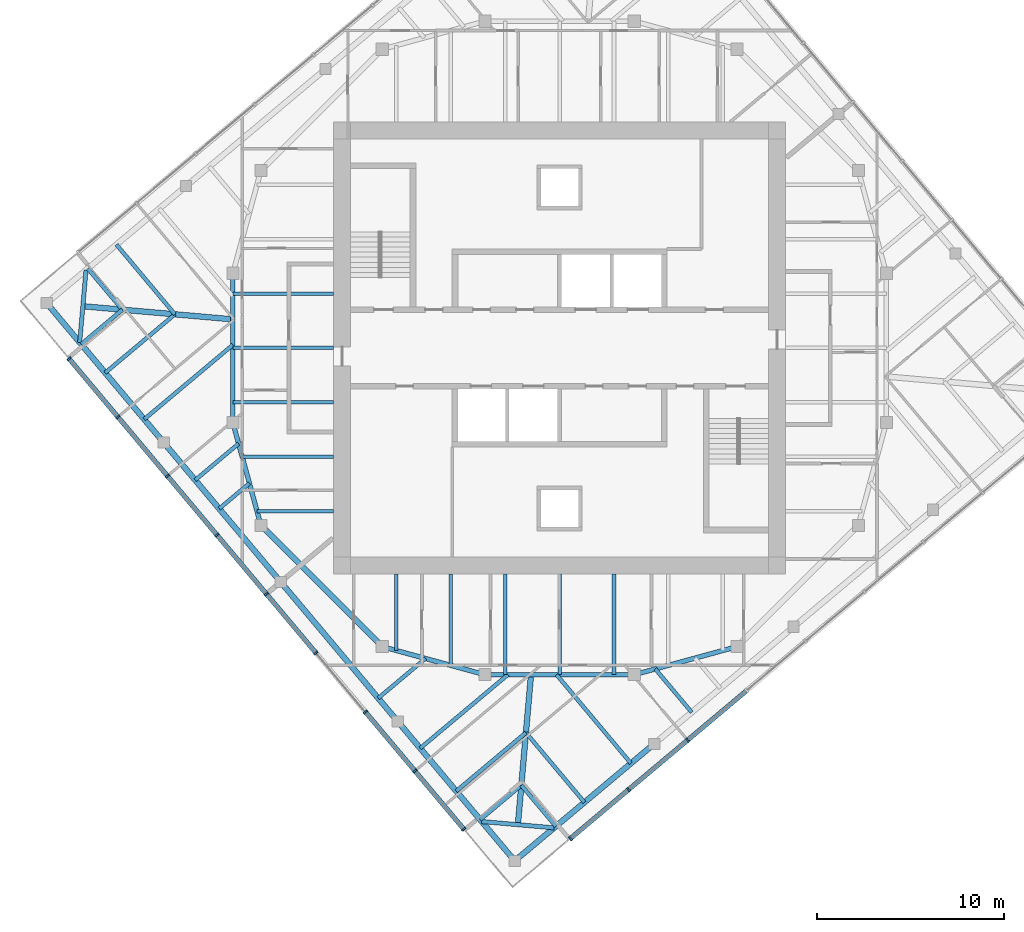
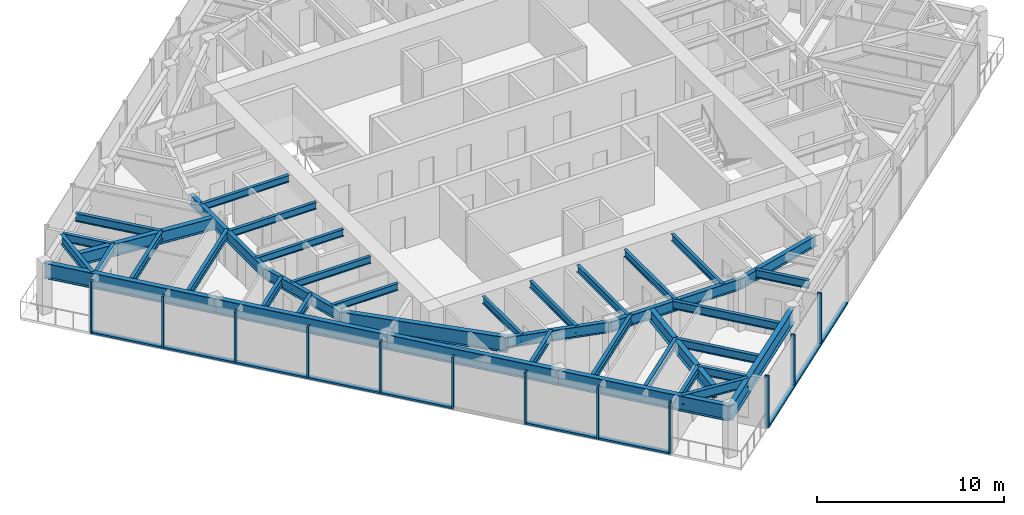
# One storey, part 2 of 11: 40 beams, 22 members, 2 elements without a shape of their own.
"""IFC4 building model written with IfcOpenShell, lengths in metres."""

from ifc_helpers import new_model, si_unit, direction, frame, origin, origin_2d, place, context, subcontext, project, spatial, rectangle, i_section, extrude, material, material_profile, profile_set, type_object, element, aggregate, save


model = new_model("IFC4")

# Units and contexts
model_context = context("Model", 3, precision=1e-05, world=origin(), true_north=direction((0.0, 1.0)))
body_context = subcontext(model_context, "Body", "Model", "MODEL_VIEW")
ifc_project = project(units=[si_unit("LENGTHUNIT", "METRE"), si_unit("AREAUNIT", "SQUARE_METRE"), si_unit("VOLUMEUNIT", "CUBIC_METRE"), si_unit("PLANEANGLEUNIT", "RADIAN"), si_unit("MASSUNIT", "GRAM", prefix="KILO")], contexts=[model_context])

# Site, building, storey
site_placement = place(None, origin())
site = spatial("IfcSite", under=ifc_project, at=site_placement, CompositionType="ELEMENT")
building_placement = place(site_placement, origin())
building = spatial("IfcBuilding", under=site, at=building_placement, Name="Torsade Residences", CompositionType="ELEMENT")
storey_placement = place(building_placement, frame((0.0, 0.0, 272.60009765625)))
storey = spatial("IfcBuildingStorey", under=building, at=storey_placement, Name="L75", CompositionType="ELEMENT", Elevation=272.60009765625)

# Beams
ifc_material_1 = material(Name="Steel grade 300", Category="steel")
ifc_material_profile_1 = material_profile(ifc_material_1, i_section(OverallWidth=0.300048828125, OverallDepth=0.800048828125, WebThickness=0.010009765625, FlangeThickness=0.02001953125, at=origin_2d()), Name="800WB146")
ifc_profile_set_1 = profile_set([ifc_material_profile_1], Name="Steel grade 300")
beam_type_1 = type_object("IfcBeamType", Name="CORNER GIRDER 800WB146", PredefinedType="BEAM", material=ifc_profile_set_1)
for number, where, z_axis, x_axis, name in (
    (1, (37.765869140625, 4.46484375, 2.849853515625), (0.087172957961, 0.996193191806, 0.0), (-0.996193191806, 0.087172957961, 0.0), "Corner girder 01 L76"),
    (2, (14.46484375, 32.234130859375, 2.849853515625), (0.996193191806, -0.087172957961, 0.0), (0.087172957961, 0.996193191806, 0.0), "Corner girder 13 L76"),
):
    element("IfcBeam", number, at=place(storey_placement, frame(where, z_axis=z_axis, x_axis=x_axis)), inside=storey, type_object=beam_type_1, Name=name, PredefinedType="BEAM", context=body_context, shape_type="SweptSolid", body=[
        extrude(i_section(OverallWidth=0.300048828125, OverallDepth=0.800048828125, WebThickness=0.010009765625, FlangeThickness=0.02001953125, at=origin_2d()), origin(), (0.0, 0.0, 1.0), 8.06591796875),
    ])
ifc_material_2 = material(Name="Steel grade 300", Category="steel")
ifc_material_profile_2 = material_profile(ifc_material_2, i_section(OverallWidth=0.22802734375, OverallDepth=0.60205078125, WebThickness=0.010498046875, FlangeThickness=0.014892578125, FilletRadius=0.013916015625, at=origin_2d()), Name="610UB101")
ifc_profile_set_2 = profile_set([ifc_material_profile_2], Name="Steel grade 300")
beam_type_2 = type_object("IfcBeamType", Name="CORNER TRIMMER 610UB101", PredefinedType="BEAM", material=ifc_profile_set_2)
for number, where, z_axis, x_axis, name in (
    (3, (39.703125, 4.29541015625, 2.948974609375), (-0.996196646947, 0.087133464362, 0.0), (-0.087133464362, -0.996196646947, 0.0), "Corner trimmer 01 L76"),
    (4, (14.29541015625, 30.296875, 2.948974609375), (0.087133464362, 0.996196646947, 0.0), (-0.996196646947, 0.087133464362, 0.0), "Corner trimmer 13 L76"),
):
    element("IfcBeam", number, at=place(storey_placement, frame(where, z_axis=z_axis, x_axis=x_axis)), inside=storey, type_object=beam_type_2, Name=name, PredefinedType="BEAM", context=body_context, shape_type="SweptSolid", body=[
        extrude(i_section(OverallWidth=0.22802734375, OverallDepth=0.60205078125, WebThickness=0.010498046875, FlangeThickness=0.014892578125, FilletRadius=0.013916015625, at=origin_2d()), origin(), (0.0, 0.0, 1.0), 3.88916015625),
    ])
ifc_material_3 = material(Name="Steel grade 300", Category="steel")
ifc_material_profile_3 = material_profile(ifc_material_3, i_section(OverallWidth=0.300048828125, OverallDepth=1.0, WebThickness=0.01611328125, FlangeThickness=0.028076171875, at=origin_2d()), Name="1000WB215")
ifc_profile_set_3 = profile_set([ifc_material_profile_3], Name="Steel grade 300")
beam_type_3 = type_object("IfcBeamType", Name="EDGE BEAM 1000WB215", PredefinedType="SPANDREL", material=ifc_profile_set_3)
for number, where, z_axis, x_axis, name in (
    (5, (37.596435546875, 2.52783203125, 2.75), (0.766051532934, 0.642779160279, 0.0), (-0.642779160279, 0.766051532934, 0.0), "Edge beam 01 L76"),
    (6, (12.52783203125, 32.403564453125, 2.75), (0.642779160279, -0.766051532934, 0.0), (0.766051532934, 0.642779160279, 0.0), "Edge beam 13 L76"),
    (7, (18.794921875, 24.9345703125, 2.75), (0.642779160279, -0.766051532934, 0.0), (0.766051532934, 0.642779160279, 0.0), "Edge beam 14 L76"),
    (8, (25.06201171875, 17.465576171875, 2.75), (0.642806184154, -0.766028856906, 0.0), (0.766028856906, 0.642806184154, 0.0), "Edge beam 15 L76"),
    (9, (31.329345703125, 9.996826171875, 2.75), (0.642779160279, -0.766051532934, 0.0), (0.766051532934, 0.642779160279, 0.0), "Edge beam 16 L76"),
):
    element("IfcBeam", number, at=place(storey_placement, frame(where, z_axis=z_axis, x_axis=x_axis)), inside=storey, type_object=beam_type_3, Name=name, PredefinedType="SPANDREL", context=body_context, shape_type="SweptSolid", body=[
        extrude(i_section(OverallWidth=0.300048828125, OverallDepth=1.0, WebThickness=0.01611328125, FlangeThickness=0.028076171875, at=origin_2d()), origin(), (0.0, 0.0, 1.0), 9.75),
    ])

# Curtain wall, members
ifc_material_4 = material(Name="Aluminium and glass", Category="aluminium")
curtain_wall_type = type_object("IfcCurtainWallType", Name="FRITTED GLASS CURTAIN WALL HIGH ZONE", PredefinedType="NOTDEFINED", material=ifc_material_4)
curtain_wall_1_placement = place(storey_placement, origin())
curtain_wall_1 = element("IfcCurtainWall", 10, at=curtain_wall_1_placement, inside=storey, type_object=curtain_wall_type, Name="Curtain wall L75 face 1", PredefinedType="NOTDEFINED")
ifc_material_5 = material(Name="Aluminium mullion", Category="aluminium")
ifc_material_profile_4 = material_profile(ifc_material_5, rectangle(XDim=0.25, YDim=0.10009765625, at=origin_2d()), Name="HIGH ZONE CURTAIN WALL MULLION 250x100")
ifc_profile_set_4 = profile_set([ifc_material_profile_4], Name="Aluminium mullion")
member_type_1 = type_object("IfcMemberType", Name="HIGH ZONE CURTAIN WALL MULLION 250x100", PredefinedType="MULLION", material=ifc_profile_set_4)
member_1_placement = place(storey_placement, frame((40.57568359375, 3.72216796875, 0.0), z_axis=(0.0, 0.0, 1.0), x_axis=(-0.642787616853, 0.766044437106, 0.0)))
member_1 = element("IfcMember", 11, at=member_1_placement, type_object=member_type_1, Name="Mullion 1", PredefinedType="MULLION", context=body_context, shape_type="SweptSolid", body=[
    extrude(rectangle(XDim=0.25, YDim=0.10009765625, at=origin_2d()), origin(), (0.0, 0.0, 1.0), 3.39990234375),
])
member_2_placement = place(storey_placement, frame((43.697265625, 6.341552734375, 0.0), z_axis=(0.0, 0.0, 1.0), x_axis=(-0.642787616853, 0.766044437106, 0.0)))
member_2 = element("IfcMember", 12, at=member_2_placement, type_object=member_type_1, Name="Mullion 2", PredefinedType="MULLION", context=body_context, shape_type="SweptSolid", body=[
    extrude(rectangle(XDim=0.25, YDim=0.10009765625, at=origin_2d()), origin(), (0.0, 0.0, 1.0), 3.39990234375),
])
member_3_placement = place(storey_placement, frame((46.857177734375, 8.9931640625, 0.0), z_axis=(0.0, 0.0, 1.0), x_axis=(-0.642787616853, 0.766044437106, 0.0)))
member_3 = element("IfcMember", 13, at=member_3_placement, type_object=member_type_1, Name="Mullion 3", PredefinedType="MULLION", context=body_context, shape_type="SweptSolid", body=[
    extrude(rectangle(XDim=0.25, YDim=0.10009765625, at=origin_2d()), origin(), (0.0, 0.0, 1.0), 3.39990234375),
])

curtain_wall_2_placement = place(storey_placement, origin())
curtain_wall_2 = element("IfcCurtainWall", 14, at=curtain_wall_2_placement, inside=storey, type_object=curtain_wall_type, Name="Curtain wall L75 face 10", PredefinedType="NOTDEFINED")
member_4_placement = place(storey_placement, frame((13.72216796875, 29.42431640625, 0.0), z_axis=(0.0, 0.0, 1.0), x_axis=(0.766044437106, 0.642787616853, 0.0)))
member_4 = element("IfcMember", 15, at=member_4_placement, type_object=member_type_1, Name="Mullion 1", PredefinedType="MULLION", context=body_context, shape_type="SweptSolid", body=[
    extrude(rectangle(XDim=0.25, YDim=0.10009765625, at=origin_2d()), origin(), (0.0, 0.0, 1.0), 3.39990234375),
])
member_5_placement = place(storey_placement, frame((16.341552734375, 26.302734375, 0.0), z_axis=(0.0, 0.0, 1.0), x_axis=(0.766044437106, 0.642787616853, 0.0)))
member_5 = element("IfcMember", 16, at=member_5_placement, type_object=member_type_1, Name="Mullion 2", PredefinedType="MULLION", context=body_context, shape_type="SweptSolid", body=[
    extrude(rectangle(XDim=0.25, YDim=0.10009765625, at=origin_2d()), origin(), (0.0, 0.0, 1.0), 3.39990234375),
])
member_6_placement = place(storey_placement, frame((18.9931640625, 23.142822265625, 0.0), z_axis=(0.0, 0.0, 1.0), x_axis=(0.766044437106, 0.642787616853, 0.0)))
member_6 = element("IfcMember", 17, at=member_6_placement, type_object=member_type_1, Name="Mullion 3", PredefinedType="MULLION", context=body_context, shape_type="SweptSolid", body=[
    extrude(rectangle(XDim=0.25, YDim=0.10009765625, at=origin_2d()), origin(), (0.0, 0.0, 1.0), 3.39990234375),
])
member_7_placement = place(storey_placement, frame((21.64453125, 19.982666015625, 0.0), z_axis=(0.0, 0.0, 1.0), x_axis=(0.766044437106, 0.642787616853, 0.0)))
member_7 = element("IfcMember", 18, at=member_7_placement, type_object=member_type_1, Name="Mullion 4", PredefinedType="MULLION", context=body_context, shape_type="SweptSolid", body=[
    extrude(rectangle(XDim=0.25, YDim=0.10009765625, at=origin_2d()), origin(), (0.0, 0.0, 1.0), 3.39990234375),
])
member_8_placement = place(storey_placement, frame((24.296142578125, 16.82275390625, 0.0), z_axis=(0.0, 0.0, 1.0), x_axis=(0.766044437106, 0.642787616853, 0.0)))
member_8 = element("IfcMember", 19, at=member_8_placement, type_object=member_type_1, Name="Mullion 5", PredefinedType="MULLION", context=body_context, shape_type="SweptSolid", body=[
    extrude(rectangle(XDim=0.25, YDim=0.10009765625, at=origin_2d()), origin(), (0.0, 0.0, 1.0), 3.39990234375),
])
member_9_placement = place(storey_placement, frame((26.947509765625, 13.662841796875, 0.0), z_axis=(0.0, 0.0, 1.0), x_axis=(0.766044437106, 0.642787616853, 0.0)))
member_9 = element("IfcMember", 20, at=member_9_placement, type_object=member_type_1, Name="Mullion 6", PredefinedType="MULLION", context=body_context, shape_type="SweptSolid", body=[
    extrude(rectangle(XDim=0.25, YDim=0.10009765625, at=origin_2d()), origin(), (0.0, 0.0, 1.0), 3.39990234375),
])
member_10_placement = place(storey_placement, frame((29.59912109375, 10.5029296875, 0.0), z_axis=(0.0, 0.0, 1.0), x_axis=(0.766044437106, 0.642787616853, 0.0)))
member_10 = element("IfcMember", 21, at=member_10_placement, type_object=member_type_1, Name="Mullion 7", PredefinedType="MULLION", context=body_context, shape_type="SweptSolid", body=[
    extrude(rectangle(XDim=0.25, YDim=0.10009765625, at=origin_2d()), origin(), (0.0, 0.0, 1.0), 3.39990234375),
])
member_11_placement = place(storey_placement, frame((32.25048828125, 7.343017578125, 0.0), z_axis=(0.0, 0.0, 1.0), x_axis=(0.766044437106, 0.642787616853, 0.0)))
member_11 = element("IfcMember", 22, at=member_11_placement, type_object=member_type_1, Name="Mullion 8", PredefinedType="MULLION", context=body_context, shape_type="SweptSolid", body=[
    extrude(rectangle(XDim=0.25, YDim=0.10009765625, at=origin_2d()), origin(), (0.0, 0.0, 1.0), 3.39990234375),
])
member_12_placement = place(storey_placement, frame((34.869873046875, 4.221435546875, 0.0), z_axis=(0.0, 0.0, 1.0), x_axis=(0.766044437106, 0.642787616853, 0.0)))
member_12 = element("IfcMember", 23, at=member_12_placement, type_object=member_type_1, Name="Mullion 9", PredefinedType="MULLION", context=body_context, shape_type="SweptSolid", body=[
    extrude(rectangle(XDim=0.25, YDim=0.10009765625, at=origin_2d()), origin(), (0.0, 0.0, 1.0), 3.39990234375),
])

# Member
ifc_material_6 = material(Name="Aluminium transom", Category="aluminium")
ifc_material_profile_5 = material_profile(ifc_material_6, rectangle(XDim=0.25, YDim=0.1201171875, at=origin_2d()), Name="HIGH ZONE CURTAIN WALL TRANSOM 250x120")
ifc_profile_set_5 = profile_set([ifc_material_profile_5], Name="Aluminium transom")
member_type_2 = type_object("IfcMemberType", Name="HIGH ZONE CURTAIN WALL TRANSOM 250x120", PredefinedType="USERDEFINED", material=ifc_profile_set_5)
member_13_placement = place(storey_placement, frame((40.614013671875, 3.75439453125, 0.059814453125), z_axis=(0.766021778456, 0.642814619413, 0.0), x_axis=(-0.642814619413, 0.766021778456, 0.0)))
member_13 = element("IfcMember", 24, at=member_13_placement, type_object=member_type_2, Name="Transom 1.1", ObjectType="TRANSOM", PredefinedType="USERDEFINED", context=body_context, shape_type="SweptSolid", body=[
    extrude(rectangle(XDim=0.25, YDim=0.1201171875, at=origin_2d()), origin(), (0.0, 0.0, 1.0), 3.97509765625),
])

member_14_placement = place(storey_placement, frame((43.735595703125, 6.373779296875, 0.059814453125), z_axis=(0.766069182322, 0.6427581255, 0.0), x_axis=(-0.6427581255, 0.766069182322, 0.0)))
member_14 = element("IfcMember", 25, at=member_14_placement, type_object=member_type_2, Name="Transom 2.1", ObjectType="TRANSOM", PredefinedType="USERDEFINED", context=body_context, shape_type="SweptSolid", body=[
    extrude(rectangle(XDim=0.25, YDim=0.1201171875, at=origin_2d()), origin(), (0.0, 0.0, 1.0), 4.025146484375),
])

member_15_placement = place(storey_placement, frame((46.8955078125, 9.025146484375, 0.059814453125), z_axis=(0.766039316443, 0.642793719372, 0.0), x_axis=(-0.642793719372, 0.766039316443, 0.0)))
member_15 = element("IfcMember", 26, at=member_15_placement, type_object=member_type_2, Name="Transom 3.1", ObjectType="TRANSOM", PredefinedType="USERDEFINED", context=body_context, shape_type="SweptSolid", body=[
    extrude(rectangle(XDim=0.25, YDim=0.1201171875, at=origin_2d()), origin(), (0.0, 0.0, 1.0), 4.025146484375),
])

aggregate(curtain_wall_1, [member_1, member_2, member_3, member_13, member_14, member_15])

member_16_placement = place(storey_placement, frame((13.75439453125, 29.385986328125, 0.059814453125), z_axis=(0.642814619413, -0.766021778456, 0.0), x_axis=(0.766021778456, 0.642814619413, 0.0)))
member_16 = element("IfcMember", 27, at=member_16_placement, type_object=member_type_2, Name="Transom 1.1", ObjectType="TRANSOM", PredefinedType="USERDEFINED", context=body_context, shape_type="SweptSolid", body=[
    extrude(rectangle(XDim=0.25, YDim=0.1201171875, at=origin_2d()), origin(), (0.0, 0.0, 1.0), 3.97509765625),
])

member_17_placement = place(storey_placement, frame((16.373779296875, 26.264404296875, 0.059814453125), z_axis=(0.6427581255, -0.766069182322, 0.0), x_axis=(0.766069182322, 0.6427581255, 0.0)))
member_17 = element("IfcMember", 28, at=member_17_placement, type_object=member_type_2, Name="Transom 2.1", ObjectType="TRANSOM", PredefinedType="USERDEFINED", context=body_context, shape_type="SweptSolid", body=[
    extrude(rectangle(XDim=0.25, YDim=0.1201171875, at=origin_2d()), origin(), (0.0, 0.0, 1.0), 4.025146484375),
])

member_18_placement = place(storey_placement, frame((19.025146484375, 23.1044921875, 0.059814453125), z_axis=(0.642793719372, -0.766039316443, 0.0), x_axis=(0.766039316443, 0.642793719372, 0.0)))
member_18 = element("IfcMember", 29, at=member_18_placement, type_object=member_type_2, Name="Transom 3.1", ObjectType="TRANSOM", PredefinedType="USERDEFINED", context=body_context, shape_type="SweptSolid", body=[
    extrude(rectangle(XDim=0.25, YDim=0.1201171875, at=origin_2d()), origin(), (0.0, 0.0, 1.0), 4.025146484375),
])

member_19_placement = place(storey_placement, frame((21.6767578125, 19.944580078125, 0.059814453125), z_axis=(0.6427581255, -0.766069182322, 0.0), x_axis=(0.766069182322, 0.6427581255, 0.0)))
member_19 = element("IfcMember", 30, at=member_19_placement, type_object=member_type_2, Name="Transom 4.1", ObjectType="TRANSOM", PredefinedType="USERDEFINED", context=body_context, shape_type="SweptSolid", body=[
    extrude(rectangle(XDim=0.25, YDim=0.1201171875, at=origin_2d()), origin(), (0.0, 0.0, 1.0), 4.025146484375),
])

member_20_placement = place(storey_placement, frame((24.328125, 16.78466796875, 0.059814453125), z_axis=(0.642793719372, -0.766039316443, 0.0), x_axis=(0.766039316443, 0.642793719372, 0.0)))
member_20 = element("IfcMember", 31, at=member_20_placement, type_object=member_type_2, Name="Transom 5.1", ObjectType="TRANSOM", PredefinedType="USERDEFINED", context=body_context, shape_type="SweptSolid", body=[
    extrude(rectangle(XDim=0.25, YDim=0.1201171875, at=origin_2d()), origin(), (0.0, 0.0, 1.0), 4.025146484375),
])

member_21_placement = place(storey_placement, frame((29.63134765625, 10.464599609375, 0.059814453125), z_axis=(0.642787992616, -0.766044121803, 0.0), x_axis=(0.766044121803, 0.642787992616, 0.0)))
member_21 = element("IfcMember", 32, at=member_21_placement, type_object=member_type_2, Name="Transom 7.1", ObjectType="TRANSOM", PredefinedType="USERDEFINED", context=body_context, shape_type="SweptSolid", body=[
    extrude(rectangle(XDim=0.25, YDim=0.1201171875, at=origin_2d()), origin(), (0.0, 0.0, 1.0), 4.02490234375),
])

member_22_placement = place(storey_placement, frame((32.28271484375, 7.3046875, 0.059814453125), z_axis=(0.642814619413, -0.766021778456, 0.0), x_axis=(0.766021778456, 0.642814619413, 0.0)))
member_22 = element("IfcMember", 33, at=member_22_placement, type_object=member_type_2, Name="Transom 8.1", ObjectType="TRANSOM", PredefinedType="USERDEFINED", context=body_context, shape_type="SweptSolid", body=[
    extrude(rectangle(XDim=0.25, YDim=0.1201171875, at=origin_2d()), origin(), (0.0, 0.0, 1.0), 3.97509765625),
])

aggregate(curtain_wall_2, [member_4, member_5, member_6, member_7, member_8, member_9, member_10, member_11, member_12, member_16, member_17, member_18, member_19, member_20, member_21, member_22])

# Beams
ifc_material_7 = material(Name="Steel grade 300", Category="steel")
ifc_material_profile_6 = material_profile(ifc_material_7, i_section(OverallWidth=0.18994140625, OverallDepth=0.4541015625, WebThickness=0.008544921875, FlangeThickness=0.0126953125, FilletRadius=0.011474609375, at=origin_2d()), Name="460UB67.1")
ifc_profile_set_6 = profile_set([ifc_material_profile_6], Name="Steel grade 300")
beam_type_4 = type_object("IfcBeamType", Name="INNER FLOOR BEAM 460UB67.1", PredefinedType="JOIST", material=ifc_profile_set_6)
for number, where, z_axis, x_axis, name in (
    (34, (42.91259765625, 17.89990234375, 3.02294921875), (0.0, -1.0, 0.0), (1.0, 0.0, 0.0), "Inner floor beam IS03 L76"),
    (35, (40.0, 17.89990234375, 3.02294921875), (0.0, -1.0, 0.0), (1.0, 0.0, 0.0), "Inner floor beam IS04 L76"),
    (36, (37.08740234375, 17.89990234375, 3.02294921875), (0.0, -1.0, 0.0), (1.0, 0.0, 0.0), "Inner floor beam IS05 L76"),
):
    element("IfcBeam", number, at=place(storey_placement, frame(where, z_axis=z_axis, x_axis=x_axis)), inside=storey, type_object=beam_type_4, Name=name, PredefinedType="JOIST", context=body_context, shape_type="SweptSolid", body=[
        extrude(i_section(OverallWidth=0.18994140625, OverallDepth=0.4541015625, WebThickness=0.008544921875, FlangeThickness=0.0126953125, FilletRadius=0.011474609375, at=origin_2d()), origin(), (0.0, 0.0, 1.0), 5.39990234375),
    ])
beam_1_placement = place(storey_placement, frame((34.175048828125, 17.89990234375, 3.02294921875), z_axis=(0.0, -1.0, 0.0), x_axis=(1.0, 0.0, 0.0)))
element("IfcBeam", 37, at=beam_1_placement, inside=storey, type_object=beam_type_4, Name="Inner floor beam IS06 L76", PredefinedType="JOIST", context=body_context, shape_type="SweptSolid", body=[
    extrude(i_section(OverallWidth=0.18994140625, OverallDepth=0.4541015625, WebThickness=0.008544921875, FlangeThickness=0.0126953125, FilletRadius=0.011474609375, at=origin_2d()), origin(), (0.0, 0.0, 1.0), 4.902099609375),
])
beam_2_placement = place(storey_placement, frame((31.262451171875, 17.89990234375, 3.02294921875), z_axis=(0.0, -1.0, 0.0), x_axis=(1.0, 0.0, 0.0)))
element("IfcBeam", 38, at=beam_2_placement, inside=storey, type_object=beam_type_4, Name="Inner floor beam IS07 L76", PredefinedType="JOIST", context=body_context, shape_type="SweptSolid", body=[
    extrude(i_section(OverallWidth=0.18994140625, OverallDepth=0.4541015625, WebThickness=0.008544921875, FlangeThickness=0.0126953125, FilletRadius=0.011474609375, at=origin_2d()), origin(), (0.0, 0.0, 1.0), 4.10791015625),
])
for number, where, z_axis, x_axis, name in (
    (39, (27.89990234375, 32.91259765625, 3.02294921875), (-1.0, 0.0, 0.0), (0.0, -1.0, 0.0), "Inner floor beam IW03 L76"),
    (40, (27.89990234375, 30.0, 3.02294921875), (-1.0, 0.0, 0.0), (0.0, -1.0, 0.0), "Inner floor beam IW04 L76"),
    (41, (27.89990234375, 27.08740234375, 3.02294921875), (-1.0, 0.0, 0.0), (0.0, -1.0, 0.0), "Inner floor beam IW05 L76"),
):
    element("IfcBeam", number, at=place(storey_placement, frame(where, z_axis=z_axis, x_axis=x_axis)), inside=storey, type_object=beam_type_4, Name=name, PredefinedType="JOIST", context=body_context, shape_type="SweptSolid", body=[
        extrude(i_section(OverallWidth=0.18994140625, OverallDepth=0.4541015625, WebThickness=0.008544921875, FlangeThickness=0.0126953125, FilletRadius=0.011474609375, at=origin_2d()), origin(), (0.0, 0.0, 1.0), 5.39990234375),
    ])
beam_3_placement = place(storey_placement, frame((27.89990234375, 24.175048828125, 3.02294921875), z_axis=(-1.0, 0.0, 0.0), x_axis=(0.0, -1.0, 0.0)))
element("IfcBeam", 42, at=beam_3_placement, inside=storey, type_object=beam_type_4, Name="Inner floor beam IW06 L76", PredefinedType="JOIST", context=body_context, shape_type="SweptSolid", body=[
    extrude(i_section(OverallWidth=0.18994140625, OverallDepth=0.4541015625, WebThickness=0.008544921875, FlangeThickness=0.0126953125, FilletRadius=0.011474609375, at=origin_2d()), origin(), (0.0, 0.0, 1.0), 4.902099609375),
])
beam_4_placement = place(storey_placement, frame((27.89990234375, 21.262451171875, 3.02294921875), z_axis=(-1.0, 0.0, 0.0), x_axis=(0.0, -1.0, 0.0)))
element("IfcBeam", 43, at=beam_4_placement, inside=storey, type_object=beam_type_4, Name="Inner floor beam IW07 L76", PredefinedType="JOIST", context=body_context, shape_type="SweptSolid", body=[
    extrude(i_section(OverallWidth=0.18994140625, OverallDepth=0.4541015625, WebThickness=0.008544921875, FlangeThickness=0.0126953125, FilletRadius=0.011474609375, at=origin_2d()), origin(), (0.0, 0.0, 1.0), 4.10791015625),
])
ifc_material_8 = material(Name="Steel grade 300", Category="steel")
ifc_material_profile_7 = material_profile(ifc_material_8, i_section(OverallWidth=0.300048828125, OverallDepth=1.0, WebThickness=0.01611328125, FlangeThickness=0.028076171875, at=origin_2d()), Name="1000WB215")
ifc_profile_set_7 = profile_set([ifc_material_profile_7], Name="Steel grade 300")
beam_type_5 = type_object("IfcBeamType", Name="RING CORNER GIRDER 1000WB215", PredefinedType="BEAM", material=ifc_profile_set_7)
beam_5_placement = place(storey_placement, frame((24.0, 20.5, 2.75), z_axis=(0.707106781187, -0.707106781187, 0.0), x_axis=(0.707106781187, 0.707106781187, 0.0)))
element("IfcBeam", 44, at=beam_5_placement, inside=storey, type_object=beam_type_5, Name="Ring girder IR11 L76", PredefinedType="BEAM", context=body_context, shape_type="SweptSolid", body=[
    extrude(i_section(OverallWidth=0.300048828125, OverallDepth=1.0, WebThickness=0.01611328125, FlangeThickness=0.028076171875, at=origin_2d()), origin(), (0.0, 0.0, 1.0), 9.1923828125),
])
ifc_material_9 = material(Name="Steel grade 300", Category="steel")
ifc_material_profile_8 = material_profile(ifc_material_9, i_section(OverallWidth=0.25, OverallDepth=0.699951171875, WebThickness=0.010009765625, FlangeThickness=0.02001953125, at=origin_2d()), Name="700WB130")
ifc_profile_set_8 = profile_set([ifc_material_profile_8], Name="Steel grade 300")
beam_type_6 = type_object("IfcBeamType", Name="RING GIRDER 700WB130", PredefinedType="BEAM", material=ifc_profile_set_8)
beam_6_placement = place(storey_placement, frame((22.5, 34.0, 2.89990234375), z_axis=(0.0, -1.0, 0.0), x_axis=(1.0, 0.0, 0.0)))
element("IfcBeam", 45, at=beam_6_placement, inside=storey, type_object=beam_type_6, Name="Ring girder IR09 L76", PredefinedType="BEAM", context=body_context, shape_type="SweptSolid", body=[
    extrude(i_section(OverallWidth=0.25, OverallDepth=0.699951171875, WebThickness=0.010009765625, FlangeThickness=0.02001953125, at=origin_2d()), origin(), (0.0, 0.0, 1.0), 8.0),
])
for number, where, z_axis, x_axis, name in (
    (46, (22.5, 26.0, 2.89990234375), (0.263117405792, -0.964763821238, 0.0), (0.964763821238, 0.263117405792, 0.0), "Ring girder IR10 L76"),
    (47, (30.5, 14.0, 2.89990234375), (0.964763821238, -0.263117405792, 0.0), (0.263117405792, 0.964763821238, 0.0), "Ring girder IR12 L76"),
):
    element("IfcBeam", number, at=place(storey_placement, frame(where, z_axis=z_axis, x_axis=x_axis)), inside=storey, type_object=beam_type_6, Name=name, PredefinedType="BEAM", context=body_context, shape_type="SweptSolid", body=[
        extrude(i_section(OverallWidth=0.25, OverallDepth=0.699951171875, WebThickness=0.010009765625, FlangeThickness=0.02001953125, at=origin_2d()), origin(), (0.0, 0.0, 1.0), 5.700927734375),
    ])
beam_7_placement = place(storey_placement, frame((36.0, 12.5, 2.89990234375), z_axis=(1.0, 0.0, 0.0), x_axis=(0.0, 1.0, 0.0)))
element("IfcBeam", 48, at=beam_7_placement, inside=storey, type_object=beam_type_6, Name="Ring girder IR13 L76", PredefinedType="BEAM", context=body_context, shape_type="SweptSolid", body=[
    extrude(i_section(OverallWidth=0.25, OverallDepth=0.699951171875, WebThickness=0.010009765625, FlangeThickness=0.02001953125, at=origin_2d()), origin(), (0.0, 0.0, 1.0), 8.0),
])
beam_8_placement = place(storey_placement, frame((44.0, 12.5, 2.89990234375), z_axis=(0.964763821238, 0.263117405792, 0.0), x_axis=(-0.263117405792, 0.964763821238, 0.0)))
element("IfcBeam", 49, at=beam_8_placement, inside=storey, type_object=beam_type_6, Name="Ring girder IR14 L76", PredefinedType="BEAM", context=body_context, shape_type="SweptSolid", body=[
    extrude(i_section(OverallWidth=0.25, OverallDepth=0.699951171875, WebThickness=0.010009765625, FlangeThickness=0.02001953125, at=origin_2d()), origin(), (0.0, 0.0, 1.0), 5.700927734375),
])
ifc_material_10 = material(Name="Steel grade 300", Category="steel")
ifc_material_profile_9 = material_profile(ifc_material_10, i_section(OverallWidth=0.208984375, OverallDepth=0.532958984375, WebThickness=0.01025390625, FlangeThickness=0.015625, FilletRadius=0.013916015625, at=origin_2d()), Name="530UB92.4")
ifc_profile_set_9 = profile_set([ifc_material_profile_9], Name="Steel grade 300")
beam_type_7 = type_object("IfcBeamType", Name="SECONDARY BEAM 530UB92.4", PredefinedType="JOIST", material=ifc_profile_set_9)
beam_9_placement = place(storey_placement, frame((39.798828125, 4.375732421875, 2.9833984375), z_axis=(-0.642761807001, 0.766066093402, 0.0), x_axis=(-0.766066093402, -0.642761807001, 0.0)))
element("IfcBeam", 50, at=beam_9_placement, inside=storey, type_object=beam_type_7, Name="Floor beam FS01 L76", PredefinedType="JOIST", context=body_context, shape_type="SweptSolid", body=[
    extrude(i_section(OverallWidth=0.208984375, OverallDepth=0.532958984375, WebThickness=0.01025390625, FlangeThickness=0.015625, FilletRadius=0.013916015625, at=origin_2d()), origin(), (0.0, 0.0, 1.0), 2.875),
])
beam_10_placement = place(storey_placement, frame((41.3310546875, 5.661376953125, 2.9833984375), z_axis=(-0.642820877376, 0.766016526982, 0.0), x_axis=(-0.766016526982, -0.642820877376, 0.0)))
element("IfcBeam", 51, at=beam_10_placement, inside=storey, type_object=beam_type_7, Name="Floor beam FS02 L76", PredefinedType="JOIST", context=body_context, shape_type="SweptSolid", body=[
    extrude(i_section(OverallWidth=0.208984375, OverallDepth=0.532958984375, WebThickness=0.01025390625, FlangeThickness=0.015625, FilletRadius=0.013916015625, at=origin_2d()), origin(), (0.0, 0.0, 1.0), 4.875),
])
beam_11_placement = place(storey_placement, frame((43.820556640625, 7.75048828125, 2.9833984375), z_axis=(-0.642791209238, 0.766041422722, 0.0), x_axis=(-0.766041422722, -0.642791209238, 0.0)))
element("IfcBeam", 52, at=beam_11_placement, inside=storey, type_object=beam_type_7, Name="Floor beam FS03 L76", PredefinedType="JOIST", context=body_context, shape_type="SweptSolid", body=[
    extrude(i_section(OverallWidth=0.208984375, OverallDepth=0.532958984375, WebThickness=0.01025390625, FlangeThickness=0.015625, FilletRadius=0.013916015625, at=origin_2d()), origin(), (0.0, 0.0, 1.0), 6.199951171875),
])
beam_12_placement = place(storey_placement, frame((47.076171875, 10.482177734375, 2.9833984375), z_axis=(-0.64274480196, 0.766080361029, 0.0), x_axis=(-0.766080361029, -0.64274480196, 0.0)))
element("IfcBeam", 53, at=beam_12_placement, inside=storey, type_object=beam_type_7, Name="Floor beam FS04 L76", PredefinedType="JOIST", context=body_context, shape_type="SweptSolid", body=[
    extrude(i_section(OverallWidth=0.208984375, OverallDepth=0.532958984375, WebThickness=0.01025390625, FlangeThickness=0.015625, FilletRadius=0.013916015625, at=origin_2d()), origin(), (0.0, 0.0, 1.0), 3.03466796875),
])
beam_13_placement = place(storey_placement, frame((16.26220703125, 35.537109375, 2.9833984375), z_axis=(0.642791490223, -0.766041186946, 0.0), x_axis=(0.766041186946, 0.642791490223, 0.0)))
element("IfcBeam", 54, at=beam_13_placement, inside=storey, type_object=beam_type_7, Name="Floor beam FN11 L76", PredefinedType="JOIST", context=body_context, shape_type="SweptSolid", body=[
    extrude(i_section(OverallWidth=0.208984375, OverallDepth=0.532958984375, WebThickness=0.01025390625, FlangeThickness=0.015625, FilletRadius=0.013916015625, at=origin_2d()), origin(), (0.0, 0.0, 1.0), 4.875),
])
for number, where, z_axis, x_axis, name in (
    (55, (14.730224609375, 34.25146484375, 2.9833984375), (0.642761807001, -0.766066093402, 0.0), (0.766066093402, 0.642761807001, 0.0), "Floor beam FN12 L76"),
    (56, (14.375732421875, 30.201171875, 2.9833984375), (0.766066093402, 0.642761807001, 0.0), (-0.642761807001, 0.766066093402, 0.0), "Floor beam FW01 L76"),
):
    element("IfcBeam", number, at=place(storey_placement, frame(where, z_axis=z_axis, x_axis=x_axis)), inside=storey, type_object=beam_type_7, Name=name, PredefinedType="JOIST", context=body_context, shape_type="SweptSolid", body=[
        extrude(i_section(OverallWidth=0.208984375, OverallDepth=0.532958984375, WebThickness=0.01025390625, FlangeThickness=0.015625, FilletRadius=0.013916015625, at=origin_2d()), origin(), (0.0, 0.0, 1.0), 2.875),
    ])
beam_14_placement = place(storey_placement, frame((15.661376953125, 28.6689453125, 2.9833984375), z_axis=(0.766016526982, 0.642820877376, 0.0), x_axis=(-0.642820877376, 0.766016526982, 0.0)))
element("IfcBeam", 57, at=beam_14_placement, inside=storey, type_object=beam_type_7, Name="Floor beam FW02 L76", PredefinedType="JOIST", context=body_context, shape_type="SweptSolid", body=[
    extrude(i_section(OverallWidth=0.208984375, OverallDepth=0.532958984375, WebThickness=0.01025390625, FlangeThickness=0.015625, FilletRadius=0.013916015625, at=origin_2d()), origin(), (0.0, 0.0, 1.0), 4.875),
])
beam_15_placement = place(storey_placement, frame((17.75048828125, 26.179443359375, 2.9833984375), z_axis=(0.766041422722, 0.642791209238, 0.0), x_axis=(-0.642791209238, 0.766041422722, 0.0)))
element("IfcBeam", 58, at=beam_15_placement, inside=storey, type_object=beam_type_7, Name="Floor beam FW03 L76", PredefinedType="JOIST", context=body_context, shape_type="SweptSolid", body=[
    extrude(i_section(OverallWidth=0.208984375, OverallDepth=0.532958984375, WebThickness=0.01025390625, FlangeThickness=0.015625, FilletRadius=0.013916015625, at=origin_2d()), origin(), (0.0, 0.0, 1.0), 6.199951171875),
])
beam_16_placement = place(storey_placement, frame((20.482177734375, 22.923828125, 2.9833984375), z_axis=(0.766080361029, 0.64274480196, 0.0), x_axis=(-0.64274480196, 0.766080361029, 0.0)))
element("IfcBeam", 59, at=beam_16_placement, inside=storey, type_object=beam_type_7, Name="Floor beam FW04 L76", PredefinedType="JOIST", context=body_context, shape_type="SweptSolid", body=[
    extrude(i_section(OverallWidth=0.208984375, OverallDepth=0.532958984375, WebThickness=0.01025390625, FlangeThickness=0.015625, FilletRadius=0.013916015625, at=origin_2d()), origin(), (0.0, 0.0, 1.0), 3.03466796875),
])
beam_17_placement = place(storey_placement, frame((21.767822265625, 21.3916015625, 2.9833984375), z_axis=(0.766057560226, 0.642771977004, 0.0), x_axis=(-0.642771977004, 0.766057560226, 0.0)))
element("IfcBeam", 60, at=beam_17_placement, inside=storey, type_object=beam_type_7, Name="Floor beam FW05 L76", PredefinedType="JOIST", context=body_context, shape_type="SweptSolid", body=[
    extrude(i_section(OverallWidth=0.208984375, OverallDepth=0.532958984375, WebThickness=0.01025390625, FlangeThickness=0.015625, FilletRadius=0.013916015625, at=origin_2d()), origin(), (0.0, 0.0, 1.0), 2.113037109375),
])
beam_18_placement = place(storey_placement, frame((30.28466796875, 11.241455078125, 2.9833984375), z_axis=(0.766044990879, 0.642786956891, 0.0), x_axis=(-0.642786956891, 0.766044990879, 0.0)))
element("IfcBeam", 61, at=beam_18_placement, inside=storey, type_object=beam_type_7, Name="Floor beam FW09 L76", PredefinedType="JOIST", context=body_context, shape_type="SweptSolid", body=[
    extrude(i_section(OverallWidth=0.208984375, OverallDepth=0.532958984375, WebThickness=0.01025390625, FlangeThickness=0.015625, FilletRadius=0.013916015625, at=origin_2d()), origin(), (0.0, 0.0, 1.0), 3.307861328125),
])
beam_19_placement = place(storey_placement, frame((32.534423828125, 8.560302734375, 2.9833984375), z_axis=(0.766039049329, 0.642794037701, 0.0), x_axis=(-0.642794037701, 0.766039049329, 0.0)))
element("IfcBeam", 62, at=beam_19_placement, inside=storey, type_object=beam_type_7, Name="Floor beam FW10 L76", PredefinedType="JOIST", context=body_context, shape_type="SweptSolid", body=[
    extrude(i_section(OverallWidth=0.208984375, OverallDepth=0.532958984375, WebThickness=0.01025390625, FlangeThickness=0.015625, FilletRadius=0.013916015625, at=origin_2d()), origin(), (0.0, 0.0, 1.0), 6.12890625),
])
beam_20_placement = place(storey_placement, frame((34.462890625, 6.26220703125, 2.9833984375), z_axis=(0.766041186946, 0.642791490223, 0.0), x_axis=(-0.642791490223, 0.766041186946, 0.0)))
element("IfcBeam", 63, at=beam_20_placement, inside=storey, type_object=beam_type_7, Name="Floor beam FW11 L76", PredefinedType="JOIST", context=body_context, shape_type="SweptSolid", body=[
    extrude(i_section(OverallWidth=0.208984375, OverallDepth=0.532958984375, WebThickness=0.01025390625, FlangeThickness=0.015625, FilletRadius=0.013916015625, at=origin_2d()), origin(), (0.0, 0.0, 1.0), 4.875),
])
beam_21_placement = place(storey_placement, frame((35.74853515625, 4.730224609375, 2.9833984375), z_axis=(0.766066093402, 0.642761807001, 0.0), x_axis=(-0.642761807001, 0.766066093402, 0.0)))
element("IfcBeam", 64, at=beam_21_placement, inside=storey, type_object=beam_type_7, Name="Floor beam FW12 L76", PredefinedType="JOIST", context=body_context, shape_type="SweptSolid", body=[
    extrude(i_section(OverallWidth=0.208984375, OverallDepth=0.532958984375, WebThickness=0.01025390625, FlangeThickness=0.015625, FilletRadius=0.013916015625, at=origin_2d()), origin(), (0.0, 0.0, 1.0), 2.875),
])

save(model, "model.ifc")
